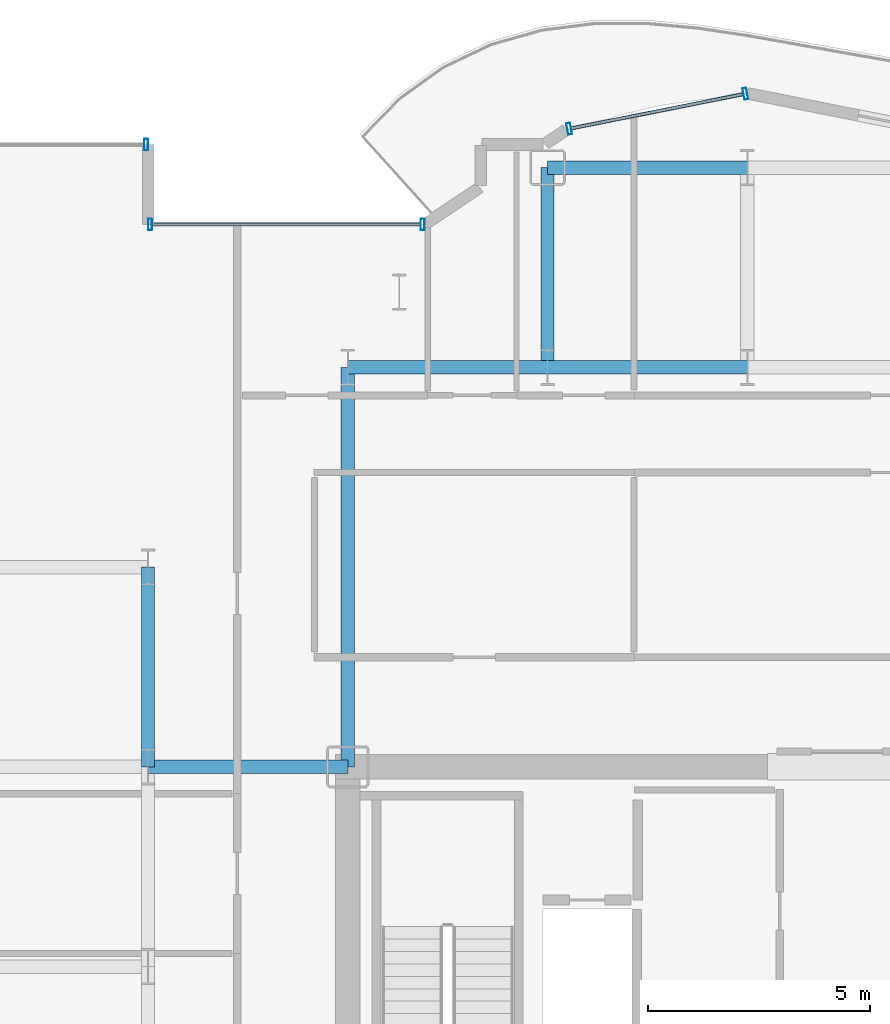
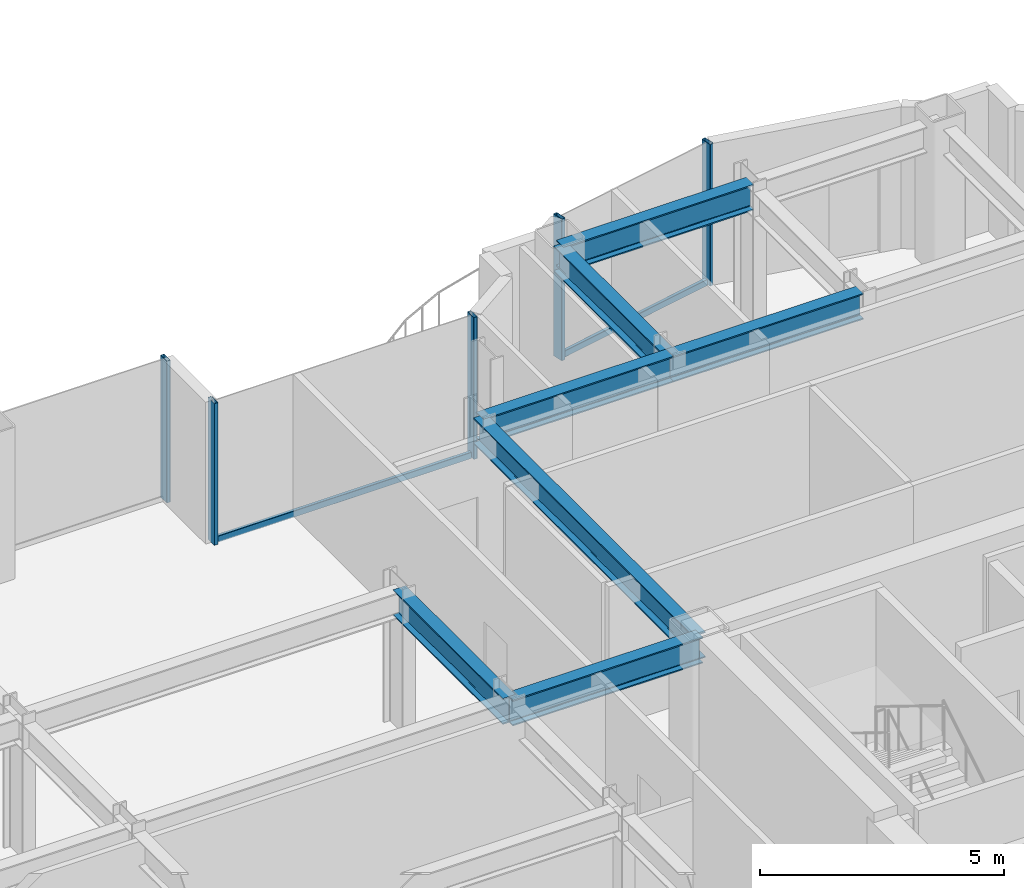
# One storey, part 11 of 23: 7 beams, 7 members, 3 elements without a shape of their own.
"""IFC4 building model written with IfcOpenShell, lengths in metres."""

from ifc_helpers import new_model, si_unit, direction, frame, origin, origin_2d, place, context, subcontext, project, spatial, hollow_rectangle, i_section, extrude, source, transform, mapped, material, layer, layer_set, material_profile, profile_set, type_object, element, aggregate, save


model = new_model("IFC4")

# Units and contexts
model_context = context("Model", 3, precision=1e-05, world=origin(), true_north=direction((0.0, 1.0)))
body_context = subcontext(model_context, "Body", "Model", "MODEL_VIEW")
ifc_project = project(units=[si_unit("LENGTHUNIT", "METRE"), si_unit("AREAUNIT", "SQUARE_METRE"), si_unit("VOLUMEUNIT", "CUBIC_METRE"), si_unit("PLANEANGLEUNIT", "RADIAN"), si_unit("MASSUNIT", "GRAM", prefix="KILO")], contexts=[model_context])

# Site, building, storey
site_placement = place(None, origin())
site = spatial("IfcSite", under=ifc_project, at=site_placement, CompositionType="ELEMENT")
building_placement = place(site_placement, origin())
building = spatial("IfcBuilding", under=site, at=building_placement, Name="Nefas-Gora Pilgrimage Tower", CompositionType="ELEMENT")
storey_placement = place(building_placement, frame((0.0, 0.0, 164.0)))
storey = spatial("IfcBuildingStorey", under=building, at=storey_placement, Name="L40", CompositionType="ELEMENT", Elevation=164.0)

# Beams
ifc_material_1 = material(Name="Steel S355", Category="steel")
ifc_material_profile_1 = material_profile(ifc_material_1, i_section(OverallWidth=0.300048828125, OverallDepth=0.64990234375, WebThickness=0.01611328125, FlangeThickness=0.031005859375, FilletRadius=0.027099609375, at=origin_2d()), Name="HEB 650")
ifc_profile_set_1 = profile_set([ifc_material_profile_1], Name="Steel S355")
beam_type = type_object("IfcBeamType", Name="BM-GIR-HEB650", PredefinedType="BEAM", material=ifc_profile_set_1)
shared_shape_1 = source(origin(), body_context, "Body", "SweptSolid", [
    extrude(i_section(OverallWidth=0.300048828125, OverallDepth=0.64990234375, WebThickness=0.01611328125, FlangeThickness=0.031005859375, FilletRadius=0.027099609375, at=origin_2d()), origin(), (0.0, 0.0, 1.0), 9.0),
])
beam_placement = place(storey_placement, frame((-11.25, 9.0, 3.22509765625), z_axis=(0.0, 1.0, 0.0), x_axis=(-1.0, 0.0, 0.0)))
element("IfcBeam", 1, at=beam_placement, inside=storey, type_object=beam_type, Name="L40 G-03 beam", PredefinedType="BEAM", context=body_context, shape_type="MappedRepresentation", body=[
    mapped(shared_shape_1, transform((0.0, 0.0, 0.0), x_axis=(1.0, 0.0, 0.0), y_axis=(0.0, 1.0, 0.0), z_axis=(0.0, 0.0, 1.0), scale=1.0)),
])
shared_shape_2 = source(origin(), body_context, "Body", "SweptSolid", [
    extrude(i_section(OverallWidth=0.300048828125, OverallDepth=0.64990234375, WebThickness=0.01611328125, FlangeThickness=0.031005859375, FilletRadius=0.027099609375, at=origin_2d()), origin(), (0.0, 0.0, 1.0), 4.5),
])
for number, where, z_axis, x_axis, name in (
    (2, (-15.75, 9.0, 3.22509765625), (0.0, 1.0, 0.0), (-1.0, 0.0, 0.0), "L40 G-03 beam"),
    (3, (-15.75, 9.0, 3.22509765625), (1.0, 0.0, 0.0), (0.0, 1.0, 0.0), "L40 G-03 beam"),
    (4, (-11.25, 18.0, 3.22509765625), (1.0, 0.0, 0.0), (0.0, 1.0, 0.0), "L40 G-03 beam"),
    (5, (-6.75, 18.0, 3.22509765625), (0.0, 1.0, 0.0), (-1.0, 0.0, 0.0), "L40 G-03 beam"),
    (6, (-6.75, 18.0, 3.22509765625), (1.0, 0.0, 0.0), (0.0, 1.0, 0.0), "L40 G-03 beam"),
    (7, (-6.75, 22.5, 3.22509765625), (1.0, 0.0, 0.0), (0.0, 1.0, 0.0), "L40 G-03 beam"),
):
    element("IfcBeam", number, at=place(storey_placement, frame(where, z_axis=z_axis, x_axis=x_axis)), inside=storey, type_object=beam_type, Name=name, PredefinedType="BEAM", context=body_context, shape_type="MappedRepresentation", body=[
        mapped(shared_shape_2, transform((0.0, 0.0, 0.0), x_axis=(1.0, 0.0, 0.0), y_axis=(0.0, 1.0, 0.0), z_axis=(0.0, 0.0, 1.0), scale=1.0)),
    ])

# Curtain wall, members
ifc_material_2 = material(Name="Dark ceramic-fritted solar-control aluminium-glass curtain wall", Category="aluminium")
ifc_layer_1 = layer(ifc_material_2, 0.219970703125)
ifc_layer_set_1 = layer_set([ifc_layer_1], Name="Dark ceramic-fritted solar-control aluminium-glass curtain wall")
curtain_wall_type_1 = type_object("IfcCurtainWallType", Name="CW-SYS-5", PredefinedType="NOTDEFINED", material=ifc_layer_set_1)
curtain_wall_1_placement = place(storey_placement, origin())
curtain_wall_1 = element("IfcCurtainWall", 8, at=curtain_wall_1_placement, inside=storey, type_object=curtain_wall_type_1, Name="L40 Unitised Curtain Wall CW5", PredefinedType="NOTDEFINED")
ifc_material_3 = material(Name="Anodised architectural aluminium", Category="aluminium")
ifc_material_profile_2 = material_profile(ifc_material_3, hollow_rectangle(XDim=0.090087890625, YDim=0.260009765625, WallThickness=0.006103515625, InnerFilletRadius=0.006103515625, OuterFilletRadius=0.011962890625, at=origin_2d()), Name="ALU MULLION 90x260")
ifc_profile_set_2 = profile_set([ifc_material_profile_2], Name="Anodised architectural aluminium")
member_type_1 = type_object("IfcMemberType", Name="CWM-MUL-5", PredefinedType="MULLION", material=ifc_profile_set_2)
shared_shape_3 = source(origin(), body_context, "Body", "SweptSolid", [
    extrude(hollow_rectangle(XDim=0.090087890625, YDim=0.260009765625, WallThickness=0.006103515625, InnerFilletRadius=0.006103515625, OuterFilletRadius=0.011962890625, at=origin_2d()), origin(), (0.0, 0.0, 1.0), 3.550048828125),
])
member_1_placement = place(storey_placement, frame((-2.294189453125, 24.16357421875, 0.0), z_axis=(0.0, 0.0, 1.0), x_axis=(-0.980782896852, -0.195102304554, 0.0)))
member_1 = element("IfcMember", 9, at=member_1_placement, type_object=member_type_1, Name="CW5 Mullion 1", PredefinedType="MULLION", context=body_context, shape_type="MappedRepresentation", body=[
    mapped(shared_shape_3, transform((0.0, 0.0, 0.0), x_axis=(1.0, 0.0, 0.0), y_axis=(0.0, 1.0, 0.0), z_axis=(0.0, 0.0, 1.0), scale=1.0)),
])
member_2_placement = place(storey_placement, frame((-6.26318359375, 23.3740234375, 0.0), z_axis=(0.0, 0.0, 1.0), x_axis=(-0.980782896852, -0.195102304554, 0.0)))
member_2 = element("IfcMember", 10, at=member_2_placement, type_object=member_type_1, Name="CW5 Mullion 2", PredefinedType="MULLION", context=body_context, shape_type="MappedRepresentation", body=[
    mapped(shared_shape_3, transform((0.0, 0.0, 0.0), x_axis=(1.0, 0.0, 0.0), y_axis=(0.0, 1.0, 0.0), z_axis=(0.0, 0.0, 1.0), scale=1.0)),
])

curtain_wall_2_placement = place(storey_placement, origin())
curtain_wall_2 = element("IfcCurtainWall", 11, at=curtain_wall_2_placement, inside=storey, type_object=curtain_wall_type_1, Name="L40 Unitised Curtain Wall CW5", PredefinedType="NOTDEFINED")
member_3_placement = place(storey_placement, frame((-9.56298828125, 21.219970703125, 0.0), z_axis=(0.0, 0.0, 1.0), x_axis=(-1.0, 0.0, 0.0)))
member_3 = element("IfcMember", 12, at=member_3_placement, type_object=member_type_1, Name="CW5 Mullion 1", PredefinedType="MULLION", context=body_context, shape_type="MappedRepresentation", body=[
    mapped(shared_shape_3, transform((0.0, 0.0, 0.0), x_axis=(1.0, 0.0, 0.0), y_axis=(0.0, 1.0, 0.0), z_axis=(0.0, 0.0, 1.0), scale=1.0)),
])
member_4_placement = place(storey_placement, frame((-15.705078125, 21.219970703125, 0.0), z_axis=(0.0, 0.0, 1.0), x_axis=(-1.0, 0.0, 0.0)))
member_4 = element("IfcMember", 13, at=member_4_placement, type_object=member_type_1, Name="CW5 Mullion 2", PredefinedType="MULLION", context=body_context, shape_type="MappedRepresentation", body=[
    mapped(shared_shape_3, transform((0.0, 0.0, 0.0), x_axis=(1.0, 0.0, 0.0), y_axis=(0.0, 1.0, 0.0), z_axis=(0.0, 0.0, 1.0), scale=1.0)),
])
ifc_material_profile_3 = material_profile(ifc_material_3, hollow_rectangle(XDim=0.080078125, YDim=0.159912109375, WallThickness=0.00439453125, InnerFilletRadius=0.00439453125, OuterFilletRadius=0.009033203125, at=origin_2d()), Name="ALU TRANSOM 80x160")
ifc_profile_set_3 = profile_set([ifc_material_profile_3], Name="Anodised architectural aluminium")
member_type_2 = type_object("IfcMemberType", Name="CWM-TRN-5", PredefinedType="USERDEFINED", material=ifc_profile_set_3)
shared_shape_4 = source(origin(), body_context, "Body", "SweptSolid", [
    extrude(hollow_rectangle(XDim=0.080078125, YDim=0.159912109375, WallThickness=0.00439453125, InnerFilletRadius=0.00439453125, OuterFilletRadius=0.009033203125, at=origin_2d()), origin(), (0.0, 0.0, 1.0), 6.052001953125),
])
member_5_placement = place(storey_placement, frame((-9.60791015625, 21.219970703125, 0.050048828125), z_axis=(-1.0, 0.0, 0.0), x_axis=(0.0, -1.0, 0.0)))
member_5 = element("IfcMember", 14, at=member_5_placement, type_object=member_type_2, Name="CW5 Spandrel Transom", ObjectType="TRANSOM", PredefinedType="USERDEFINED", context=body_context, shape_type="MappedRepresentation", body=[
    mapped(shared_shape_4, transform((0.0, 0.0, 0.0), x_axis=(1.0, 0.0, 0.0), y_axis=(0.0, 1.0, 0.0), z_axis=(0.0, 0.0, 1.0), scale=1.0)),
])
aggregate(curtain_wall_2, [member_3, member_4, member_5])

# Member
shared_shape_5 = source(origin(), body_context, "Body", "SweptSolid", [
    extrude(hollow_rectangle(XDim=0.080078125, YDim=0.159912109375, WallThickness=0.00439453125, InnerFilletRadius=0.00439453125, OuterFilletRadius=0.009033203125, at=origin_2d()), origin(), (0.0, 0.0, 1.0), 3.95654296875),
])
member_6_placement = place(storey_placement, frame((-2.33837890625, 24.15478515625, 0.050048828125), z_axis=(-0.980781880918, -0.195107411605, 0.0), x_axis=(0.195107411605, -0.980781880918, 0.0)))
member_6 = element("IfcMember", 15, at=member_6_placement, type_object=member_type_2, Name="CW5 Spandrel Transom", ObjectType="TRANSOM", PredefinedType="USERDEFINED", context=body_context, shape_type="MappedRepresentation", body=[
    mapped(shared_shape_5, transform((0.0, 0.0, 0.0), x_axis=(1.0, 0.0, 0.0), y_axis=(0.0, 1.0, 0.0), z_axis=(0.0, 0.0, 1.0), scale=1.0)),
])

aggregate(curtain_wall_1, [member_1, member_2, member_6])

# Curtain wall, member
ifc_layer_2 = layer(ifc_material_2, 0.219970703125)
ifc_layer_set_2 = layer_set([ifc_layer_2], Name="Dark ceramic-fritted solar-control aluminium-glass curtain wall")
curtain_wall_type_2 = type_object("IfcCurtainWallType", Name="CW-SYS-3", PredefinedType="NOTDEFINED", material=ifc_layer_set_2)
curtain_wall_3_placement = place(storey_placement, origin())
curtain_wall_3 = element("IfcCurtainWall", 16, at=curtain_wall_3_placement, inside=storey, type_object=curtain_wall_type_2, Name="L40 Unitised Curtain Wall CW3", PredefinedType="NOTDEFINED")
ifc_material_profile_4 = material_profile(ifc_material_3, hollow_rectangle(XDim=0.090087890625, YDim=0.260009765625, WallThickness=0.006103515625, InnerFilletRadius=0.006103515625, OuterFilletRadius=0.011962890625, at=origin_2d()), Name="ALU MULLION 90x260")
ifc_profile_set_4 = profile_set([ifc_material_profile_4], Name="Anodised architectural aluminium")
member_type_3 = type_object("IfcMemberType", Name="CWM-MUL-3", PredefinedType="MULLION", material=ifc_profile_set_4)
shared_shape_6 = source(origin(), body_context, "Body", "SweptSolid", [
    extrude(hollow_rectangle(XDim=0.090087890625, YDim=0.260009765625, WallThickness=0.006103515625, InnerFilletRadius=0.006103515625, OuterFilletRadius=0.011962890625, at=origin_2d()), origin(), (0.0, 0.0, 1.0), 3.550048828125),
])
member_7_placement = place(storey_placement, frame((-15.794921875, 23.02001953125, 0.0), z_axis=(0.0, 0.0, 1.0), x_axis=(-1.0, 0.0, 0.0)))
member_7 = element("IfcMember", 17, at=member_7_placement, type_object=member_type_3, Name="CW3 Mullion 1", PredefinedType="MULLION", context=body_context, shape_type="MappedRepresentation", body=[
    mapped(shared_shape_6, transform((0.0, 0.0, 0.0), x_axis=(1.0, 0.0, 0.0), y_axis=(0.0, 1.0, 0.0), z_axis=(0.0, 0.0, 1.0), scale=1.0)),
])
aggregate(curtain_wall_3, [member_7])

save(model, "model.ifc")
